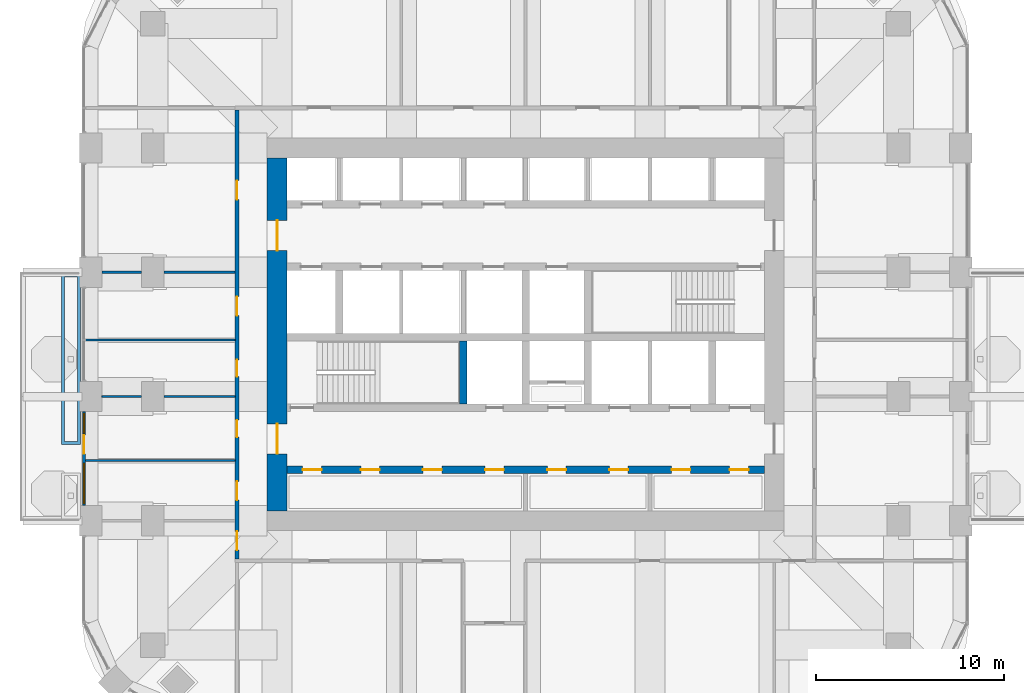
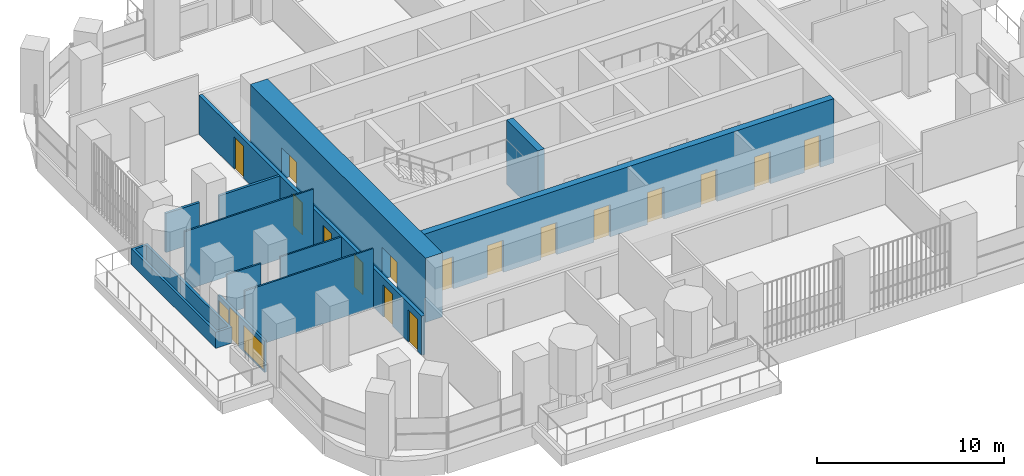
# One storey, part 12 of 20: 17 doors, 12 walls, 2 windows, 19 openings.
"""IFC4 building model written with IfcOpenShell, lengths in metres."""

from ifc_helpers import new_model, si_unit, direction, frame, frame_2d, origin, place, context, subcontext, project, spatial, polyline, rectangle, outline, extrude, material, layer, layer_set, type_object, element, fill, save


model = new_model("IFC4")

# Units and contexts
model_context = context("Model", 3, precision=1e-05, world=origin(), true_north=direction((0.0, 1.0)))
body_context = subcontext(model_context, "Body", "Model", "MODEL_VIEW")
ifc_project = project(units=[si_unit("LENGTHUNIT", "METRE"), si_unit("AREAUNIT", "SQUARE_METRE"), si_unit("VOLUMEUNIT", "CUBIC_METRE"), si_unit("PLANEANGLEUNIT", "RADIAN"), si_unit("MASSUNIT", "GRAM", prefix="KILO")], contexts=[model_context])

# Site, building, storey
site_placement = place(None, origin())
site = spatial("IfcSite", under=ifc_project, at=site_placement, CompositionType="ELEMENT")
building_placement = place(site_placement, origin())
building = spatial("IfcBuilding", under=site, at=building_placement, Name="Cobogo Forest Laboratory Tower", CompositionType="ELEMENT")
storey_placement = place(building_placement, frame((0.0, 0.0, 218.699951171875)))
storey = spatial("IfcBuildingStorey", under=building, at=storey_placement, Name="L50", CompositionType="ELEMENT", Elevation=218.699951171875)

# Wall, openings, doors
ifc_material_1 = material(Name="Concrete HA-50 (C50/60)", Category="concrete")
ifc_layer_1 = layer(ifc_material_1, 0.39990234375)
ifc_layer_set_1 = layer_set([ifc_layer_1], Name="CI400 core inner wall 400")
wall_type_1 = type_object("IfcWallType", Name="CI400 core inner wall 400", PredefinedType="SHEAR", material=ifc_layer_set_1)
wall_1_placement = place(storey_placement, frame((13.72509765625, 15.89990234375, 0.0), z_axis=(0.0, 0.0, 1.0), x_axis=(1.0, 0.0, 0.0)))
wall_1 = element("IfcWall", 1, at=wall_1_placement, inside=storey, type_object=wall_type_1, Name="Core wall CI-15.9 L50", PredefinedType="SHEAR", context=body_context, shape_type="SweptSolid", body=[
    extrude(rectangle(XDim=25.349853515625, YDim=0.39990234375, at=frame_2d((12.6748046875, 0.0))), origin(), (0.0, 0.0, 1.0), 4.199951171875),
])
opening_1_placement = place(wall_1_placement, frame((0.83740234375, 0.0, 0.0)))
opening_1 = element("IfcOpeningElement", 2, at=opening_1_placement, cuts=wall_1, Name="Opening L50-D10", PredefinedType="OPENING", context=body_context, shape_type="SweptSolid", body=[
    extrude(rectangle(XDim=1.0, YDim=2.10009765625, at=frame_2d((0.5, 1.050048828125))), frame((0.0, 0.2099609375, 0.0), z_axis=(0.0, -1.0, 0.0), x_axis=(1.0, 0.0, 0.0)), (0.0, 0.0, 1.0), 0.419921875),
])
opening_2_placement = place(wall_1_placement, frame((3.925048828125, 0.0, 0.0)))
opening_2 = element("IfcOpeningElement", 3, at=opening_2_placement, cuts=wall_1, Name="Opening L50-D11", PredefinedType="OPENING", context=body_context, shape_type="SweptSolid", body=[
    extrude(rectangle(XDim=1.0, YDim=2.10009765625, at=frame_2d((0.5, 1.050048828125))), frame((0.0, 0.2099609375, 0.0), z_axis=(0.0, -1.0, 0.0), x_axis=(1.0, 0.0, 0.0)), (0.0, 0.0, 1.0), 0.419921875),
])
opening_3_placement = place(wall_1_placement, frame((7.22509765625, 0.0, 0.0)))
opening_3 = element("IfcOpeningElement", 4, at=opening_3_placement, cuts=wall_1, Name="Opening L50-D12", PredefinedType="OPENING", context=body_context, shape_type="SweptSolid", body=[
    extrude(rectangle(XDim=1.0, YDim=2.10009765625, at=frame_2d((0.5, 1.050048828125))), frame((0.0, 0.2099609375, 0.0), z_axis=(0.0, -1.0, 0.0), x_axis=(1.0, 0.0, 0.0)), (0.0, 0.0, 1.0), 0.419921875),
])
opening_4_placement = place(wall_1_placement, frame((10.52490234375, 0.0, 0.0)))
opening_4 = element("IfcOpeningElement", 5, at=opening_4_placement, cuts=wall_1, Name="Opening L50-D13", PredefinedType="OPENING", context=body_context, shape_type="SweptSolid", body=[
    extrude(rectangle(XDim=1.0, YDim=2.10009765625, at=frame_2d((0.5, 1.050048828125))), frame((0.0, 0.2099609375, 0.0), z_axis=(0.0, -1.0, 0.0), x_axis=(1.0, 0.0, 0.0)), (0.0, 0.0, 1.0), 0.419921875),
])
opening_5_placement = place(wall_1_placement, frame((13.824951171875, 0.0, 0.0)))
opening_5 = element("IfcOpeningElement", 6, at=opening_5_placement, cuts=wall_1, Name="Opening L50-D14", PredefinedType="OPENING", context=body_context, shape_type="SweptSolid", body=[
    extrude(rectangle(XDim=1.0, YDim=2.10009765625, at=frame_2d((0.5, 1.050048828125))), frame((0.0, 0.2099609375, 0.0), z_axis=(0.0, -1.0, 0.0), x_axis=(1.0, 0.0, 0.0)), (0.0, 0.0, 1.0), 0.419921875),
])
opening_6_placement = place(wall_1_placement, frame((17.125, 0.0, 0.0)))
opening_6 = element("IfcOpeningElement", 7, at=opening_6_placement, cuts=wall_1, Name="Opening L50-D15", PredefinedType="OPENING", context=body_context, shape_type="SweptSolid", body=[
    extrude(rectangle(XDim=1.0, YDim=2.10009765625, at=frame_2d((0.5, 1.050048828125))), frame((0.0, 0.2099609375, 0.0), z_axis=(0.0, -1.0, 0.0), x_axis=(1.0, 0.0, 0.0)), (0.0, 0.0, 1.0), 0.419921875),
])
opening_7_placement = place(wall_1_placement, frame((20.425048828125, 0.0, 0.0)))
opening_7 = element("IfcOpeningElement", 8, at=opening_7_placement, cuts=wall_1, Name="Opening L50-D16", PredefinedType="OPENING", context=body_context, shape_type="SweptSolid", body=[
    extrude(rectangle(XDim=1.0, YDim=2.10009765625, at=frame_2d((0.5, 1.050048828125))), frame((0.0, 0.2099609375, 0.0), z_axis=(0.0, -1.0, 0.0), x_axis=(1.0, 0.0, 0.0)), (0.0, 0.0, 1.0), 0.419921875),
])
opening_8_placement = place(wall_1_placement, frame((23.512451171875, 0.0, 0.0)))
opening_8 = element("IfcOpeningElement", 9, at=opening_8_placement, cuts=wall_1, Name="Opening L50-D17", PredefinedType="OPENING", context=body_context, shape_type="SweptSolid", body=[
    extrude(rectangle(XDim=1.0, YDim=2.10009765625, at=frame_2d((0.5, 1.050048828125))), frame((0.0, 0.2099609375, 0.0), z_axis=(0.0, -1.0, 0.0), x_axis=(1.0, 0.0, 0.0)), (0.0, 0.0, 1.0), 0.419921875),
])
ifc_material_2 = material(Name="Steel fire door", Category="steel")
door_type_1 = type_object("IfcDoorType", Name="FD1 fire door 1000 EI2 60", OperationType="SINGLE_SWING_LEFT", PredefinedType="DOOR", material=ifc_material_2)
door_1_placement = place(opening_1_placement, origin())
door_1 = element("IfcDoor", 10, at=door_1_placement, inside=storey, type_object=door_type_1, Name="Door L50-SH-LA1", OperationType="SINGLE_SWING_LEFT", OverallHeight=2.10009765625, OverallWidth=1.0, PredefinedType="DOOR", context=body_context, shape_type="SweptSolid", body=[
    extrude(rectangle(XDim=1.0, YDim=2.10009765625, at=frame_2d((0.5, 1.050048828125))), frame((0.0, 0.02490234375, 0.0), z_axis=(0.0, -1.0, 0.0), x_axis=(1.0, 0.0, 0.0)), (0.0, 0.0, 1.0), 0.050048828125),
])
fill(opening_1, door_1)
door_2_placement = place(opening_2_placement, origin())
door_2 = element("IfcDoor", 11, at=door_2_placement, inside=storey, type_object=door_type_1, Name="Door L50-SH-LA2", OperationType="SINGLE_SWING_LEFT", OverallHeight=2.10009765625, OverallWidth=1.0, PredefinedType="DOOR", context=body_context, shape_type="SweptSolid", body=[
    extrude(rectangle(XDim=1.0, YDim=2.10009765625, at=frame_2d((0.5, 1.050048828125))), frame((0.0, 0.02490234375, 0.0), z_axis=(0.0, -1.0, 0.0), x_axis=(1.0, 0.0, 0.0)), (0.0, 0.0, 1.0), 0.050048828125),
])
fill(opening_2, door_2)
door_3_placement = place(opening_3_placement, origin())
door_3 = element("IfcDoor", 12, at=door_3_placement, inside=storey, type_object=door_type_1, Name="Door L50-SH-LA3", OperationType="SINGLE_SWING_LEFT", OverallHeight=2.10009765625, OverallWidth=1.0, PredefinedType="DOOR", context=body_context, shape_type="SweptSolid", body=[
    extrude(rectangle(XDim=1.0, YDim=2.10009765625, at=frame_2d((0.5, 1.050048828125))), frame((0.0, 0.02490234375, 0.0), z_axis=(0.0, -1.0, 0.0), x_axis=(1.0, 0.0, 0.0)), (0.0, 0.0, 1.0), 0.050048828125),
])
fill(opening_3, door_3)
door_4_placement = place(opening_4_placement, origin())
door_4 = element("IfcDoor", 13, at=door_4_placement, inside=storey, type_object=door_type_1, Name="Door L50-SH-LA4", OperationType="SINGLE_SWING_LEFT", OverallHeight=2.10009765625, OverallWidth=1.0, PredefinedType="DOOR", context=body_context, shape_type="SweptSolid", body=[
    extrude(rectangle(XDim=1.0, YDim=2.10009765625, at=frame_2d((0.5, 1.050048828125))), frame((0.0, 0.02490234375, 0.0), z_axis=(0.0, -1.0, 0.0), x_axis=(1.0, 0.0, 0.0)), (0.0, 0.0, 1.0), 0.050048828125),
])
fill(opening_4, door_4)
door_5_placement = place(opening_5_placement, origin())
door_5 = element("IfcDoor", 14, at=door_5_placement, inside=storey, type_object=door_type_1, Name="Door L50-SH-LB1", OperationType="SINGLE_SWING_RIGHT", OverallHeight=2.10009765625, OverallWidth=1.0, PredefinedType="DOOR", context=body_context, shape_type="SweptSolid", body=[
    extrude(rectangle(XDim=1.0, YDim=2.10009765625, at=frame_2d((0.5, 1.050048828125))), frame((0.0, 0.02490234375, 0.0), z_axis=(0.0, -1.0, 0.0), x_axis=(1.0, 0.0, 0.0)), (0.0, 0.0, 1.0), 0.050048828125),
])
fill(opening_5, door_5)
door_6_placement = place(opening_6_placement, origin())
door_6 = element("IfcDoor", 15, at=door_6_placement, inside=storey, type_object=door_type_1, Name="Door L50-SH-LB2", OperationType="SINGLE_SWING_RIGHT", OverallHeight=2.10009765625, OverallWidth=1.0, PredefinedType="DOOR", context=body_context, shape_type="SweptSolid", body=[
    extrude(rectangle(XDim=1.0, YDim=2.10009765625, at=frame_2d((0.5, 1.050048828125))), frame((0.0, 0.02490234375, 0.0), z_axis=(0.0, -1.0, 0.0), x_axis=(1.0, 0.0, 0.0)), (0.0, 0.0, 1.0), 0.050048828125),
])
fill(opening_6, door_6)
door_7_placement = place(opening_7_placement, origin())
door_7 = element("IfcDoor", 16, at=door_7_placement, inside=storey, type_object=door_type_1, Name="Door L50-SH-LB3", OperationType="SINGLE_SWING_RIGHT", OverallHeight=2.10009765625, OverallWidth=1.0, PredefinedType="DOOR", context=body_context, shape_type="SweptSolid", body=[
    extrude(rectangle(XDim=1.0, YDim=2.10009765625, at=frame_2d((0.5, 1.050048828125))), frame((0.0, 0.02490234375, 0.0), z_axis=(0.0, -1.0, 0.0), x_axis=(1.0, 0.0, 0.0)), (0.0, 0.0, 1.0), 0.050048828125),
])
fill(opening_7, door_7)
door_8_placement = place(opening_8_placement, origin())
door_8 = element("IfcDoor", 17, at=door_8_placement, inside=storey, type_object=door_type_1, Name="Door L50-SH-LB4", OperationType="SINGLE_SWING_RIGHT", OverallHeight=2.10009765625, OverallWidth=1.0, PredefinedType="DOOR", context=body_context, shape_type="SweptSolid", body=[
    extrude(rectangle(XDim=1.0, YDim=2.10009765625, at=frame_2d((0.5, 1.050048828125))), frame((0.0, 0.02490234375, 0.0), z_axis=(0.0, -1.0, 0.0), x_axis=(1.0, 0.0, 0.0)), (0.0, 0.0, 1.0), 0.050048828125),
])
fill(opening_8, door_8)

# Wall
wall_2_placement = place(storey_placement, frame((23.10009765625, 19.39990234375, 0.0), z_axis=(0.0, 0.0, 1.0), x_axis=(0.0, 1.0, 0.0)))
element("IfcWall", 18, at=wall_2_placement, inside=storey, type_object=wall_type_1, Name="Core wall CX-23.1 L50", PredefinedType="SHEAR", context=body_context, shape_type="SweptSolid", body=[
    extrude(rectangle(XDim=3.35009765625, YDim=0.39990234375, at=frame_2d((1.675048828125, 0.0))), origin(), (0.0, 0.0, 1.0), 4.199951171875),
])

# Wall, openings, doors
ifc_layer_2 = layer(ifc_material_1, 1.050048828125)
ifc_layer_set_2 = layer_set([ifc_layer_2], Name="CW1050 core outer wall 1050")
wall_type_2 = type_object("IfcWallType", Name="CW1050 core outer wall 1050", PredefinedType="SHEAR", material=ifc_layer_set_2)
wall_3_placement = place(storey_placement, frame((13.199951171875, 32.47509765625, 0.0), z_axis=(0.0, 0.0, 1.0), x_axis=(0.0, -1.0, 0.0)))
wall_3 = element("IfcWall", 19, at=wall_3_placement, inside=storey, type_object=wall_type_2, Name="Core wall CO-W L50", PredefinedType="SHEAR", context=body_context, shape_type="SweptSolid", body=[
    extrude(rectangle(XDim=18.75, YDim=1.050048828125, at=frame_2d((9.375, 0.0))), origin(), (0.0, 0.0, 1.0), 4.199951171875),
])
opening_9_placement = place(wall_3_placement, frame((14.125, 0.0, 0.0)))
opening_9 = element("IfcOpeningElement", 20, at=opening_9_placement, cuts=wall_3, Name="Opening L50-D20", PredefinedType="OPENING", context=body_context, shape_type="SweptSolid", body=[
    extrude(rectangle(XDim=1.60009765625, YDim=2.10009765625, at=frame_2d((0.800048828125, 1.050048828125))), frame((0.0, 0.534912109375, 0.0), z_axis=(0.0, -1.0, 0.0), x_axis=(1.0, 0.0, 0.0)), (0.0, 0.0, 1.0), 1.070068359375),
])
opening_10_placement = place(wall_3_placement, frame((3.324951171875, 0.0, 0.0)))
opening_10 = element("IfcOpeningElement", 21, at=opening_10_placement, cuts=wall_3, Name="Opening L50-D32", PredefinedType="OPENING", context=body_context, shape_type="SweptSolid", body=[
    extrude(rectangle(XDim=1.60009765625, YDim=2.10009765625, at=frame_2d((0.800048828125, 1.050048828125))), frame((0.0, 0.534912109375, 0.0), z_axis=(0.0, -1.0, 0.0), x_axis=(1.0, 0.0, 0.0)), (0.0, 0.0, 1.0), 1.070068359375),
])
door_type_2 = type_object("IfcDoorType", Name="DS2 protected lobby door pair 1600 EI2 60", OperationType="DOUBLE_DOOR_DOUBLE_SWING", PredefinedType="DOOR", material=ifc_material_2)
door_9_placement = place(opening_9_placement, origin())
door_9 = element("IfcDoor", 22, at=door_9_placement, inside=storey, type_object=door_type_2, Name="Door L50-CO-W-S", OperationType="DOUBLE_DOOR_DOUBLE_SWING", OverallHeight=2.10009765625, OverallWidth=1.60009765625, PredefinedType="DOOR", context=body_context, shape_type="SweptSolid", body=[
    extrude(rectangle(XDim=1.60009765625, YDim=2.10009765625, at=frame_2d((0.800048828125, 1.050048828125))), frame((0.0, 0.02490234375, 0.0), z_axis=(0.0, -1.0, 0.0), x_axis=(1.0, 0.0, 0.0)), (0.0, 0.0, 1.0), 0.050048828125),
])
fill(opening_9, door_9)
door_10_placement = place(opening_10_placement, origin())
door_10 = element("IfcDoor", 23, at=door_10_placement, inside=storey, type_object=door_type_2, Name="Door L50-CO-W-N", OperationType="DOUBLE_DOOR_DOUBLE_SWING", OverallHeight=2.10009765625, OverallWidth=1.60009765625, PredefinedType="DOOR", context=body_context, shape_type="SweptSolid", body=[
    extrude(rectangle(XDim=1.60009765625, YDim=2.10009765625, at=frame_2d((0.800048828125, 1.050048828125))), frame((0.0, 0.02490234375, 0.0), z_axis=(0.0, -1.0, 0.0), x_axis=(1.0, 0.0, 0.0)), (0.0, 0.0, 1.0), 0.050048828125),
])
fill(opening_10, door_10)

# Wall, openings, door, windows
ifc_material_3 = material(Name="Aluminium framed glazed screen", Category="aluminium")
ifc_layer_3 = layer(ifc_material_3, 0.14990234375)
ifc_layer_set_3 = layer_set([ifc_layer_3], Name="GS1 glazed door screen 150")
wall_type_3 = type_object("IfcWallType", Name="GS1 glazed door screen 150", PredefinedType="SOLIDWALL", material=ifc_layer_set_3)
wall_4_placement = place(storey_placement, frame((2.949951171875, 19.0, 0.0), z_axis=(0.0, 0.0, 1.0), x_axis=(0.0, -1.0, 0.0)))
wall_4 = element("IfcWall", 24, at=wall_4_placement, inside=storey, type_object=wall_type_3, Name="Door screen BAL-W1 L50", PredefinedType="SOLIDWALL", context=body_context, shape_type="SweptSolid", body=[
    extrude(rectangle(XDim=5.0, YDim=0.14990234375, at=frame_2d((2.5, 0.0))), origin(), (0.0, 0.0, 1.0), 2.050048828125),
])
opening_11_placement = place(wall_4_placement, frame((1.25, 0.0, 0.0)))
opening_11 = element("IfcOpeningElement", 25, at=opening_11_placement, cuts=wall_4, Name="Opening L50-D18", PredefinedType="OPENING", context=body_context, shape_type="SweptSolid", body=[
    extrude(rectangle(XDim=1.0, YDim=2.0, at=frame_2d((0.5, 1.0))), frame((0.0, 0.0849609375, 0.0), z_axis=(0.0, -1.0, 0.0), x_axis=(1.0, 0.0, 0.0)), (0.0, 0.0, 1.0), 0.169921875),
])
opening_12_placement = place(wall_4_placement, frame((0.10009765625, 0.0, 0.10009765625)))
opening_12 = element("IfcOpeningElement", 26, at=opening_12_placement, cuts=wall_4, Name="Opening L50-W05", PredefinedType="OPENING", context=body_context, shape_type="SweptSolid", body=[
    extrude(rectangle(XDim=1.050048828125, YDim=1.64990234375, at=frame_2d((0.52490234375, 0.824951171875))), frame((0.0, 0.0849609375, 0.0), z_axis=(0.0, -1.0, 0.0), x_axis=(1.0, 0.0, 0.0)), (0.0, 0.0, 1.0), 0.169921875),
])
opening_13_placement = place(wall_4_placement, frame((2.75, 0.0, 0.10009765625)))
opening_13 = element("IfcOpeningElement", 27, at=opening_13_placement, cuts=wall_4, Name="Opening L50-W03", PredefinedType="OPENING", context=body_context, shape_type="SweptSolid", body=[
    extrude(rectangle(XDim=2.14990234375, YDim=1.64990234375, at=frame_2d((1.074951171875, 0.824951171875))), frame((0.0, 0.0849609375, 0.0), z_axis=(0.0, -1.0, 0.0), x_axis=(1.0, 0.0, 0.0)), (0.0, 0.0, 1.0), 0.169921875),
])
ifc_material_4 = material(Name="Aluminium glazed door", Category="aluminium")
door_type_3 = type_object("IfcDoorType", Name="DB2 balcony door 1000 glazed 2000 high", OperationType="SINGLE_SWING_LEFT", PredefinedType="DOOR", material=ifc_material_4)
door_11_placement = place(opening_11_placement, origin())
door_11 = element("IfcDoor", 28, at=door_11_placement, inside=storey, type_object=door_type_3, Name="Door L50-BAL-W1", OperationType="SINGLE_SWING_LEFT", OverallHeight=2.0, OverallWidth=1.0, PredefinedType="DOOR", context=body_context, shape_type="SweptSolid", body=[
    extrude(rectangle(XDim=1.0, YDim=2.0, at=frame_2d((0.5, 1.0))), frame((0.0, 0.02490234375, 0.0), z_axis=(0.0, -1.0, 0.0), x_axis=(1.0, 0.0, 0.0)), (0.0, 0.0, 1.0), 0.050048828125),
])
fill(opening_11, door_11)
ifc_material_5 = material(Name="Aluminium framed glazing", Category="aluminium")
window_type_1 = type_object("IfcWindowType", Name="WG19 fixed glazed light 2150x1650", PartitioningType="SINGLE_PANEL", PredefinedType="WINDOW", material=ifc_material_5)
window_1_placement = place(opening_13_placement, origin())
window_1 = element("IfcWindow", 29, at=window_1_placement, inside=storey, type_object=window_type_1, Name="Window L50-BAL-W1-2", OverallHeight=1.64990234375, OverallWidth=2.14990234375, PartitioningType="SINGLE_PANEL", PredefinedType="WINDOW", context=body_context, shape_type="SweptSolid", body=[
    extrude(rectangle(XDim=2.14990234375, YDim=1.64990234375, at=frame_2d((1.074951171875, 0.824951171875))), frame((0.0, 0.030029296875, 0.0), z_axis=(0.0, -1.0, 0.0), x_axis=(1.0, 0.0, 0.0)), (0.0, 0.0, 1.0), 0.06005859375),
])
fill(opening_13, window_1)
window_type_2 = type_object("IfcWindowType", Name="WG20 fixed glazed light 1050x1650", PartitioningType="SINGLE_PANEL", PredefinedType="WINDOW", material=ifc_material_5)
window_2_placement = place(opening_12_placement, origin())
window_2 = element("IfcWindow", 30, at=window_2_placement, inside=storey, type_object=window_type_2, Name="Window L50-BAL-W1-1", OverallHeight=1.64990234375, OverallWidth=1.050048828125, PartitioningType="SINGLE_PANEL", PredefinedType="WINDOW", context=body_context, shape_type="SweptSolid", body=[
    extrude(rectangle(XDim=1.050048828125, YDim=1.64990234375, at=frame_2d((0.52490234375, 0.824951171875))), frame((0.0, 0.030029296875, 0.0), z_axis=(0.0, -1.0, 0.0), x_axis=(1.0, 0.0, 0.0)), (0.0, 0.0, 1.0), 0.06005859375),
])
fill(opening_12, window_2)

# Walls
ifc_material_6 = material(Name="Gypsum board on steel studs", Category="steel")
ifc_layer_4 = layer(ifc_material_6, 0.14990234375)
ifc_layer_set_4 = layer_set([ifc_layer_4], Name="PT1 laboratory partition 150")
wall_type_4 = type_object("IfcWallType", Name="PT1 laboratory partition 150", PredefinedType="PARTITIONING", material=ifc_layer_set_4)
wall_5_placement = place(storey_placement, frame((3.89990234375, 26.39990234375, 0.0), z_axis=(0.0, 0.0, 1.0), x_axis=(1.0, 0.0, 0.0)))
element("IfcWall", 31, at=wall_5_placement, inside=storey, type_object=wall_type_4, Name="Partition CUT-W26.4-1 L50", PredefinedType="PARTITIONING", context=body_context, shape_type="SweptSolid", body=[
    extrude(rectangle(XDim=2.10009765625, YDim=0.14990234375, at=frame_2d((1.050048828125, 0.0))), origin(), (0.0, 0.0, 1.0), 2.550048828125),
])
wall_6_placement = place(storey_placement, frame((7.199951171875, 26.39990234375, 0.0), z_axis=(0.0, 0.0, 1.0), x_axis=(1.0, 0.0, 0.0)))
element("IfcWall", 32, at=wall_6_placement, inside=storey, type_object=wall_type_4, Name="Partition CUT-W26.4-2 L50", PredefinedType="PARTITIONING", context=body_context, shape_type="SweptSolid", body=[
    extrude(rectangle(XDim=3.775146484375, YDim=0.14990234375, at=frame_2d((1.8876953125, 0.0))), origin(), (0.0, 0.0, 1.0), 2.550048828125),
])

# Wall, openings, doors
ifc_layer_5 = layer(ifc_material_6, 0.199951171875)
ifc_layer_set_5 = layer_set([ifc_layer_5], Name="PT2 fire-rated corridor partition 200")
wall_type_5 = type_object("IfcWallType", Name="PT2 fire-rated corridor partition 200", PredefinedType="PARTITIONING", material=ifc_layer_set_5)
wall_7_placement = place(storey_placement, frame((11.074951171875, 11.175048828125, 0.0), z_axis=(0.0, 0.0, 1.0), x_axis=(0.0, 1.0, 0.0)))
wall_7 = element("IfcWall", 33, at=wall_7_placement, inside=storey, type_object=wall_type_5, Name="Partition CORR-W L50", PredefinedType="PARTITIONING", context=body_context, shape_type="SweptSolid", body=[
    extrude(rectangle(XDim=23.849853515625, YDim=0.199951171875, at=frame_2d((11.9248046875, 0.0))), origin(), (0.0, 0.0, 1.0), 2.550048828125),
])
opening_14_placement = place(wall_7_placement, frame((0.46240234375, 0.0, 0.0)))
opening_14 = element("IfcOpeningElement", 34, at=opening_14_placement, cuts=wall_7, Name="Opening L50-D07", PredefinedType="OPENING", context=body_context, shape_type="SweptSolid", body=[
    extrude(rectangle(XDim=1.0, YDim=2.10009765625, at=frame_2d((0.5, 1.050048828125))), frame((0.0, 0.10986328125, 0.0), z_axis=(0.0, -1.0, 0.0), x_axis=(1.0, 0.0, 0.0)), (0.0, 0.0, 1.0), 0.219970703125),
])
opening_15_placement = place(wall_7_placement, frame((3.125, 0.0, 0.0)))
opening_15 = element("IfcOpeningElement", 35, at=opening_15_placement, cuts=wall_7, Name="Opening L50-D08", PredefinedType="OPENING", context=body_context, shape_type="SweptSolid", body=[
    extrude(rectangle(XDim=1.0, YDim=2.10009765625, at=frame_2d((0.5, 1.050048828125))), frame((0.0, 0.10986328125, 0.0), z_axis=(0.0, -1.0, 0.0), x_axis=(1.0, 0.0, 0.0)), (0.0, 0.0, 1.0), 0.219970703125),
])
opening_16_placement = place(wall_7_placement, frame((6.47509765625, 0.0, 0.0)))
opening_16 = element("IfcOpeningElement", 36, at=opening_16_placement, cuts=wall_7, Name="Opening L50-D22", PredefinedType="OPENING", context=body_context, shape_type="SweptSolid", body=[
    extrude(rectangle(XDim=0.89990234375, YDim=2.10009765625, at=frame_2d((0.449951171875, 1.050048828125))), frame((0.0, 0.10986328125, 0.0), z_axis=(0.0, -1.0, 0.0), x_axis=(1.0, 0.0, 0.0)), (0.0, 0.0, 1.0), 0.219970703125),
])
opening_17_placement = place(wall_7_placement, frame((9.675048828125, 0.0, 0.0)))
opening_17 = element("IfcOpeningElement", 37, at=opening_17_placement, cuts=wall_7, Name="Opening L50-D27", PredefinedType="OPENING", context=body_context, shape_type="SweptSolid", body=[
    extrude(rectangle(XDim=0.89990234375, YDim=2.10009765625, at=frame_2d((0.449951171875, 1.050048828125))), frame((0.0, 0.10986328125, 0.0), z_axis=(0.0, -1.0, 0.0), x_axis=(1.0, 0.0, 0.0)), (0.0, 0.0, 1.0), 0.219970703125),
])
opening_18_placement = place(wall_7_placement, frame((12.925048828125, 0.0, 0.0)))
opening_18 = element("IfcOpeningElement", 38, at=opening_18_placement, cuts=wall_7, Name="Opening L50-D29", PredefinedType="OPENING", context=body_context, shape_type="SweptSolid", body=[
    extrude(rectangle(XDim=1.0, YDim=2.10009765625, at=frame_2d((0.5, 1.050048828125))), frame((0.0, 0.10986328125, 0.0), z_axis=(0.0, -1.0, 0.0), x_axis=(1.0, 0.0, 0.0)), (0.0, 0.0, 1.0), 0.219970703125),
])
opening_19_placement = place(wall_7_placement, frame((19.08740234375, 0.0, 0.0)))
opening_19 = element("IfcOpeningElement", 39, at=opening_19_placement, cuts=wall_7, Name="Opening L50-D34", PredefinedType="OPENING", context=body_context, shape_type="SweptSolid", body=[
    extrude(rectangle(XDim=1.0, YDim=2.10009765625, at=frame_2d((0.5, 1.050048828125))), frame((0.0, 0.10986328125, 0.0), z_axis=(0.0, -1.0, 0.0), x_axis=(1.0, 0.0, 0.0)), (0.0, 0.0, 1.0), 0.219970703125),
])
ifc_material_7 = material(Name="Timber fire door", Category="wood")
door_type_4 = type_object("IfcDoorType", Name="FD2 fire door 1000 EI2 30", OperationType="SINGLE_SWING_LEFT", PredefinedType="DOOR", material=ifc_material_7)
door_12_placement = place(opening_14_placement, origin())
door_12 = element("IfcDoor", 40, at=door_12_placement, inside=storey, type_object=door_type_4, Name="Door L50-W1", OperationType="SINGLE_SWING_LEFT", OverallHeight=2.10009765625, OverallWidth=1.0, PredefinedType="DOOR", context=body_context, shape_type="SweptSolid", body=[
    extrude(rectangle(XDim=1.0, YDim=2.10009765625, at=frame_2d((0.5, 1.050048828125))), frame((0.0, 0.02490234375, 0.0), z_axis=(0.0, -1.0, 0.0), x_axis=(1.0, 0.0, 0.0)), (0.0, 0.0, 1.0), 0.050048828125),
])
fill(opening_14, door_12)
door_13_placement = place(opening_18_placement, origin())
door_13 = element("IfcDoor", 41, at=door_13_placement, inside=storey, type_object=door_type_4, Name="Door L50-SHW", OperationType="SINGLE_SWING_RIGHT", OverallHeight=2.10009765625, OverallWidth=1.0, PredefinedType="DOOR", context=body_context, shape_type="SweptSolid", body=[
    extrude(rectangle(XDim=1.0, YDim=2.10009765625, at=frame_2d((0.5, 1.050048828125))), frame((0.0, 0.02490234375, 0.0), z_axis=(0.0, -1.0, 0.0), x_axis=(1.0, 0.0, 0.0)), (0.0, 0.0, 1.0), 0.050048828125),
])
fill(opening_18, door_13)
door_14_placement = place(opening_19_placement, origin())
door_14 = element("IfcDoor", 42, at=door_14_placement, inside=storey, type_object=door_type_4, Name="Door L50-W3", OperationType="SINGLE_SWING_RIGHT", OverallHeight=2.10009765625, OverallWidth=1.0, PredefinedType="DOOR", context=body_context, shape_type="SweptSolid", body=[
    extrude(rectangle(XDim=1.0, YDim=2.10009765625, at=frame_2d((0.5, 1.050048828125))), frame((0.0, 0.02490234375, 0.0), z_axis=(0.0, -1.0, 0.0), x_axis=(1.0, 0.0, 0.0)), (0.0, 0.0, 1.0), 0.050048828125),
])
fill(opening_19, door_14)
door_type_5 = type_object("IfcDoorType", Name="FD3 toilet fire door 900 EI2 30", OperationType="SINGLE_SWING_LEFT", PredefinedType="DOOR", material=ifc_material_7)
door_15_placement = place(opening_16_placement, origin())
door_15 = element("IfcDoor", 43, at=door_15_placement, inside=storey, type_object=door_type_5, Name="Door L50-WCF", OperationType="SINGLE_SWING_LEFT", OverallHeight=2.10009765625, OverallWidth=0.89990234375, PredefinedType="DOOR", context=body_context, shape_type="SweptSolid", body=[
    extrude(rectangle(XDim=0.89990234375, YDim=2.10009765625, at=frame_2d((0.449951171875, 1.050048828125))), frame((0.0, 0.02490234375, 0.0), z_axis=(0.0, -1.0, 0.0), x_axis=(1.0, 0.0, 0.0)), (0.0, 0.0, 1.0), 0.050048828125),
])
fill(opening_16, door_15)
door_16_placement = place(opening_17_placement, origin())
door_16 = element("IfcDoor", 44, at=door_16_placement, inside=storey, type_object=door_type_5, Name="Door L50-WCM", OperationType="SINGLE_SWING_LEFT", OverallHeight=2.10009765625, OverallWidth=0.89990234375, PredefinedType="DOOR", context=body_context, shape_type="SweptSolid", body=[
    extrude(rectangle(XDim=0.89990234375, YDim=2.10009765625, at=frame_2d((0.449951171875, 1.050048828125))), frame((0.0, 0.02490234375, 0.0), z_axis=(0.0, -1.0, 0.0), x_axis=(1.0, 0.0, 0.0)), (0.0, 0.0, 1.0), 0.050048828125),
])
fill(opening_17, door_16)
door_type_6 = type_object("IfcDoorType", Name="FDA1 accessible toilet fire door 1000 EI2 30", OperationType="SINGLE_SWING_RIGHT", PredefinedType="DOOR", material=ifc_material_7)
door_17_placement = place(opening_15_placement, origin())
door_17 = element("IfcDoor", 45, at=door_17_placement, inside=storey, type_object=door_type_6, Name="Door L50-WCA", OperationType="SINGLE_SWING_LEFT", OverallHeight=2.10009765625, OverallWidth=1.0, PredefinedType="DOOR", context=body_context, shape_type="SweptSolid", body=[
    extrude(rectangle(XDim=1.0, YDim=2.10009765625, at=frame_2d((0.5, 1.050048828125))), frame((0.0, 0.02490234375, 0.0), z_axis=(0.0, -1.0, 0.0), x_axis=(1.0, 0.0, 0.0)), (0.0, 0.0, 1.0), 0.050048828125),
])
fill(opening_15, door_17)

# Walls
ifc_layer_6 = layer(ifc_material_6, 0.10009765625)
ifc_layer_set_6 = layer_set([ifc_layer_6], Name="PT3 toilet partition 100")
wall_type_6 = type_object("IfcWallType", Name="PT3 toilet partition 100", PredefinedType="PARTITIONING", material=ifc_layer_set_6)
wall_8_placement = place(storey_placement, frame((3.030029296875, 16.39990234375, 0.0), z_axis=(0.0, 0.0, 1.0), x_axis=(1.0, 0.0, 0.0)))
element("IfcWall", 46, at=wall_8_placement, inside=storey, type_object=wall_type_6, Name="Partition SVC-W1-1 L50", PredefinedType="PARTITIONING", context=body_context, shape_type="SweptSolid", body=[
    extrude(rectangle(XDim=7.945068359375, YDim=0.10009765625, at=frame_2d((3.97265625, 0.0))), origin(), (0.0, 0.0, 1.0), 3.85009765625),
])
wall_9_placement = place(storey_placement, frame((3.89990234375, 19.800048828125, 0.0), z_axis=(0.0, 0.0, 1.0), x_axis=(1.0, 0.0, 0.0)))
element("IfcWall", 47, at=wall_9_placement, inside=storey, type_object=wall_type_6, Name="Partition SVC-W2-1 L50", PredefinedType="PARTITIONING", context=body_context, shape_type="SweptSolid", body=[
    extrude(rectangle(XDim=2.10009765625, YDim=0.10009765625, at=frame_2d((1.050048828125, 0.0))), origin(), (0.0, 0.0, 1.0), 2.550048828125),
])
wall_10_placement = place(storey_placement, frame((7.199951171875, 19.800048828125, 0.0), z_axis=(0.0, 0.0, 1.0), x_axis=(1.0, 0.0, 0.0)))
element("IfcWall", 48, at=wall_10_placement, inside=storey, type_object=wall_type_6, Name="Partition SVC-W2-2 L50", PredefinedType="PARTITIONING", context=body_context, shape_type="SweptSolid", body=[
    extrude(rectangle(XDim=3.775146484375, YDim=0.10009765625, at=frame_2d((1.8876953125, 0.0))), origin(), (0.0, 0.0, 1.0), 2.550048828125),
])
wall_11_placement = place(storey_placement, frame((3.030029296875, 22.800048828125, 0.0), z_axis=(0.0, 0.0, 1.0), x_axis=(1.0, 0.0, 0.0)))
element("IfcWall", 49, at=wall_11_placement, inside=storey, type_object=wall_type_6, Name="Partition SVC-W3-1 L50", PredefinedType="PARTITIONING", context=body_context, shape_type="SweptSolid", body=[
    extrude(rectangle(XDim=7.945068359375, YDim=0.10009765625, at=frame_2d((3.97265625, 0.0))), origin(), (0.0, 0.0, 1.0), 3.85009765625),
])
ifc_material_8 = material(Name="Concrete HA-40 (C40/50)", Category="concrete")
ifc_layer_7 = layer(ifc_material_8, 0.14990234375)
ifc_layer_set_7 = layer_set([ifc_layer_7], Name="Planter box 1000x1050")
wall_type_7 = type_object("IfcWallType", Name="Planter box 1000x1050", PredefinedType="USERDEFINED", material=ifc_layer_set_7)
wall_12_placement = place(storey_placement, origin())
element("IfcWall", 50, at=wall_12_placement, inside=storey, type_object=wall_type_7, Name="Planter BAL-W1-2 L50", ObjectType="PLANTER", PredefinedType="USERDEFINED", context=body_context, shape_type="SweptSolid", body=[
    extrude(outline(polyline([(1.75, 17.25), (2.75, 17.25), (2.75, 26.300048828125), (1.75, 26.300048828125), (1.75, 17.25)]), holes=[polyline([(1.89990234375, 17.39990234375), (2.60009765625, 17.39990234375), (2.60009765625, 26.14990234375), (1.89990234375, 26.14990234375), (1.89990234375, 17.39990234375)])]), origin(), (0.0, 0.0, 1.0), 1.050048828125),
])

save(model, "model.ifc")
